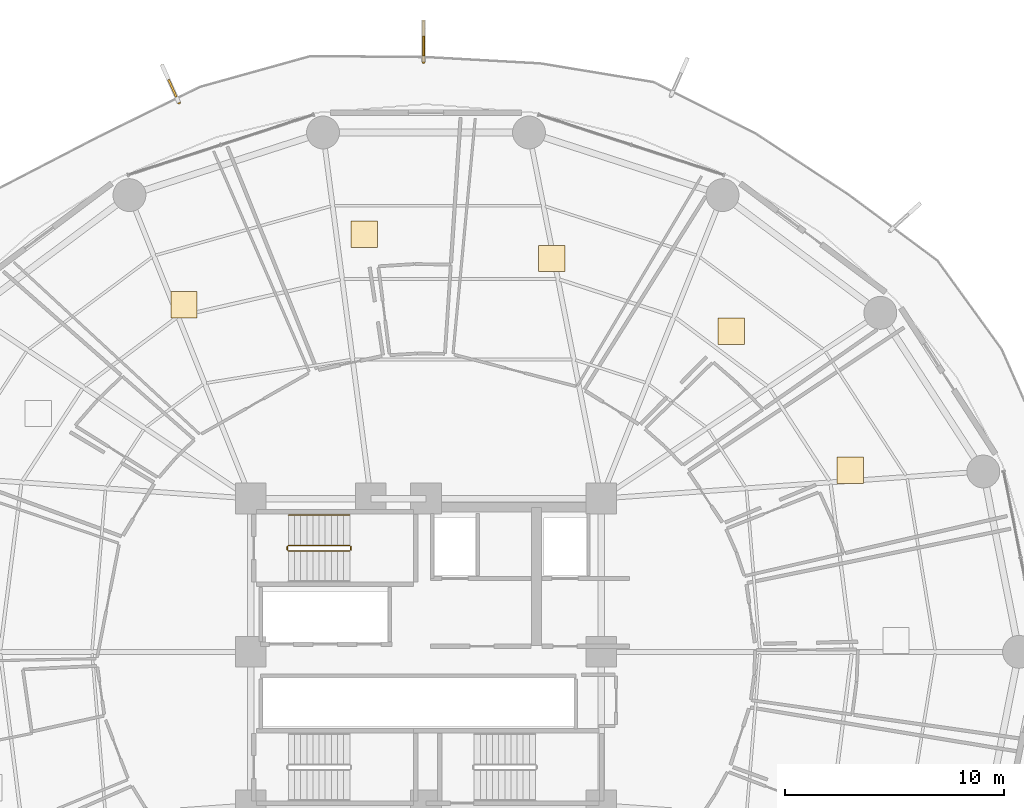
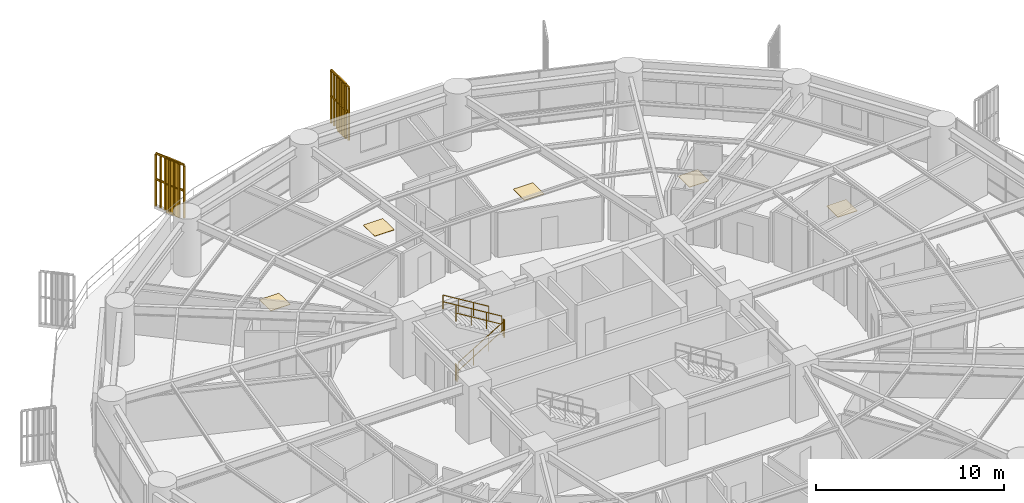
# One storey, part 32 of 33: 7 railings, 5 coverings, 2 shading devices.
"""IFC4 building model written with IfcOpenShell, lengths in metres."""

from ifc_helpers import new_model, si_unit, direction, frame, origin, origin_2d, place, context, subcontext, project, spatial, polyline, rectangle, outline, extrude, source, transform, mapped, material, layer, layer_set, type_object, element, save


model = new_model("IFC4")

# Units and contexts
model_context = context("Model", 3, precision=1e-05, world=origin(), true_north=direction((0.0, 1.0)))
body_context = subcontext(model_context, "Body", "Model", "MODEL_VIEW")
ifc_project = project(units=[si_unit("LENGTHUNIT", "METRE"), si_unit("AREAUNIT", "SQUARE_METRE"), si_unit("VOLUMEUNIT", "CUBIC_METRE"), si_unit("PLANEANGLEUNIT", "RADIAN"), si_unit("MASSUNIT", "GRAM", prefix="KILO")], contexts=[model_context])

# Site, building, storey
site_placement = place(None, origin())
site = spatial("IfcSite", under=ifc_project, at=site_placement, CompositionType="ELEMENT")
building_placement = place(site_placement, origin())
building = spatial("IfcBuilding", under=site, at=building_placement, Name="Kelanora Arch Commons", CompositionType="ELEMENT")
storey_placement = place(building_placement, frame((0.0, 0.0, 41.25)))
storey = spatial("IfcBuildingStorey", under=building, at=storey_placement, Name="L10", CompositionType="ELEMENT", Elevation=41.25)

# Railings
ifc_material_1 = material(Name="Anodised bronze vertical shading fin rib assembly")
railing_type_1 = type_object("IfcRailingType", Name="RAIL-FIN-BRZ", PredefinedType="BALUSTRADE", material=ifc_material_1)
railing_1_placement = place(storey_placement, frame((73.895263671875, 84.93896484375, -0.02001953125)))
element("IfcRailing", 1, at=railing_1_placement, inside=storey, type_object=railing_type_1, Name="Sweeping Bronze Vertical Fin Blade L10-03", PredefinedType="BALUSTRADE", context=body_context, shape_type="SweptSolid", body=[
    extrude(outline(polyline([(0.06982421875, 0.0), (0.034912109375, 0.060546875), (-0.034912109375, 0.060546875), (-0.06982421875, 0.0), (-0.034912109375, -0.060546875), (0.034912109375, -0.060546875), (0.06982421875, 0.0)])), frame((0.0, 0.0, 3.419921875), z_axis=(-0.003975058034, 0.999992099426, 0.0), x_axis=(-0.999992099426, -0.003975058034, 0.0)), (0.0, 0.0, 1.0), 1.842529296875),
    extrude(outline(polyline([(0.06982421875, 0.0), (0.034912109375, 0.060546875), (-0.034912109375, 0.060546875), (-0.06982421875, 0.0), (-0.034912109375, -0.060546875), (0.034912109375, -0.060546875), (0.06982421875, 0.0)])), frame((0.0, 0.0, 1.7451171875), z_axis=(-0.003975058034, 0.999992099426, 0.0), x_axis=(-0.999992099426, -0.003975058034, 0.0)), (0.0, 0.0, 1.0), 1.842529296875),
    extrude(outline(polyline([(0.080078125, 0.0), (0.0400390625, 0.0693359375), (-0.0400390625, 0.0693359375), (-0.080078125, 0.0), (-0.0400390625, -0.0693359375), (0.0400390625, -0.0693359375), (0.080078125, 0.0)])), origin(), (0.0, 0.0, 1.0), 3.35009765625),
    extrude(outline(polyline([(0.080078125, 0.0), (0.0400390625, 0.0693359375), (-0.0400390625, 0.0693359375), (-0.080078125, 0.0), (-0.0400390625, -0.0693359375), (0.0400390625, -0.0693359375), (0.080078125, 0.0)])), frame((-0.001220703125, 0.30712890625, 0.0)), (0.0, 0.0, 1.0), 3.35009765625),
    extrude(outline(polyline([(0.080078125, 0.0), (0.0400390625, 0.0693359375), (-0.0400390625, 0.0693359375), (-0.080078125, 0.0), (-0.0400390625, -0.0693359375), (0.0400390625, -0.0693359375), (0.080078125, 0.0)])), frame((-0.00244140625, 0.6142578125, 0.0)), (0.0, 0.0, 1.0), 3.35009765625),
    extrude(outline(polyline([(0.080078125, 0.0), (0.0400390625, 0.0693359375), (-0.0400390625, 0.0693359375), (-0.080078125, 0.0), (-0.0400390625, -0.0693359375), (0.0400390625, -0.0693359375), (0.080078125, 0.0)])), frame((-0.003662109375, 0.92138671875, 0.0)), (0.0, 0.0, 1.0), 3.35009765625),
    extrude(outline(polyline([(0.080078125, 0.0), (0.0400390625, 0.0693359375), (-0.0400390625, 0.0693359375), (-0.080078125, 0.0), (-0.0400390625, -0.0693359375), (0.0400390625, -0.0693359375), (0.080078125, 0.0)])), frame((-0.0048828125, 1.228271484375, 0.0)), (0.0, 0.0, 1.0), 3.35009765625),
    extrude(outline(polyline([(0.080078125, 0.0), (0.0400390625, 0.0693359375), (-0.0400390625, 0.0693359375), (-0.080078125, 0.0), (-0.0400390625, -0.0693359375), (0.0400390625, -0.0693359375), (0.080078125, 0.0)])), frame((-0.006103515625, 1.535400390625, 0.0)), (0.0, 0.0, 1.0), 3.35009765625),
    extrude(outline(polyline([(0.080078125, 0.0), (0.0400390625, 0.0693359375), (-0.0400390625, 0.0693359375), (-0.080078125, 0.0), (-0.0400390625, -0.0693359375), (0.0400390625, -0.0693359375), (0.080078125, 0.0)])), frame((-0.00732421875, 1.842529296875, 0.0)), (0.0, 0.0, 1.0), 3.35009765625),
])
railing_2_placement = place(storey_placement, frame((62.71728515625, 83.078125, -0.02001953125)))
element("IfcRailing", 2, at=railing_2_placement, inside=storey, type_object=railing_type_1, Name="Sweeping Bronze Vertical Fin Blade L10-04", PredefinedType="BALUSTRADE", context=body_context, shape_type="SweptSolid", body=[
    extrude(outline(polyline([(0.06982421875, 0.0), (0.034912109375, 0.060546875), (-0.034912109375, 0.060546875), (-0.06982421875, 0.0), (-0.034912109375, -0.060546875), (0.034912109375, -0.060546875), (0.06982421875, 0.0)])), frame((0.0, 0.0, 3.419921875), z_axis=(-0.410326113953, 0.911938857714, 0.0), x_axis=(-0.911938857714, -0.410326113953, 0.0)), (0.0, 0.0, 1.0), 1.8427734375),
    extrude(outline(polyline([(0.06982421875, 0.0), (0.034912109375, 0.060546875), (-0.034912109375, 0.060546875), (-0.06982421875, 0.0), (-0.034912109375, -0.060546875), (0.034912109375, -0.060546875), (0.06982421875, 0.0)])), frame((0.0, 0.0, 1.7451171875), z_axis=(-0.410326113953, 0.911938857714, 0.0), x_axis=(-0.911938857714, -0.410326113953, 0.0)), (0.0, 0.0, 1.0), 1.8427734375),
    extrude(outline(polyline([(0.080078125, 0.0), (0.0400390625, 0.0693359375), (-0.0400390625, 0.0693359375), (-0.080078125, 0.0), (-0.0400390625, -0.0693359375), (0.0400390625, -0.0693359375), (0.080078125, 0.0)])), origin(), (0.0, 0.0, 1.0), 3.35009765625),
    extrude(outline(polyline([(0.080078125, 0.0), (0.0400390625, 0.0693359375), (-0.0400390625, 0.0693359375), (-0.080078125, 0.0), (-0.0400390625, -0.0693359375), (0.0400390625, -0.0693359375), (0.080078125, 0.0)])), frame((-0.1259765625, 0.280029296875, 0.0)), (0.0, 0.0, 1.0), 3.35009765625),
    extrude(outline(polyline([(0.080078125, 0.0), (0.0400390625, 0.0693359375), (-0.0400390625, 0.0693359375), (-0.080078125, 0.0), (-0.0400390625, -0.0693359375), (0.0400390625, -0.0693359375), (0.080078125, 0.0)])), frame((-0.251953125, 0.56005859375, 0.0)), (0.0, 0.0, 1.0), 3.35009765625),
    extrude(outline(polyline([(0.080078125, 0.0), (0.0400390625, 0.0693359375), (-0.0400390625, 0.0693359375), (-0.080078125, 0.0), (-0.0400390625, -0.0693359375), (0.0400390625, -0.0693359375), (0.080078125, 0.0)])), frame((-0.3779296875, 0.84033203125, 0.0)), (0.0, 0.0, 1.0), 3.35009765625),
    extrude(outline(polyline([(0.080078125, 0.0), (0.0400390625, 0.0693359375), (-0.0400390625, 0.0693359375), (-0.080078125, 0.0), (-0.0400390625, -0.0693359375), (0.0400390625, -0.0693359375), (0.080078125, 0.0)])), frame((-0.504150390625, 1.120361328125, 0.0)), (0.0, 0.0, 1.0), 3.35009765625),
    extrude(outline(polyline([(0.080078125, 0.0), (0.0400390625, 0.0693359375), (-0.0400390625, 0.0693359375), (-0.080078125, 0.0), (-0.0400390625, -0.0693359375), (0.0400390625, -0.0693359375), (0.080078125, 0.0)])), frame((-0.630126953125, 1.400390625, 0.0)), (0.0, 0.0, 1.0), 3.35009765625),
    extrude(outline(polyline([(0.080078125, 0.0), (0.0400390625, 0.0693359375), (-0.0400390625, 0.0693359375), (-0.080078125, 0.0), (-0.0400390625, -0.0693359375), (0.0400390625, -0.0693359375), (0.080078125, 0.0)])), frame((-0.756103515625, 1.680419921875, 0.0)), (0.0, 0.0, 1.0), 3.35009765625),
])
ifc_material_2 = material(Name="Painted steel stair well guard", Category="steel")
railing_type_2 = type_object("IfcRailingType", Name="RAIL-STAIR-GRD", PredefinedType="GUARDRAIL", material=ifc_material_2)
railing_3_placement = place(storey_placement, frame((67.719970703125, 62.610107421875, 0.17041015625)))
element("IfcRailing", 3, at=railing_3_placement, inside=storey, type_object=railing_type_2, Name="L10 ST-T1 stair guard 1", PredefinedType="GUARDRAIL", context=body_context, shape_type="SweptSolid", body=[
    extrude(outline(polyline([(0.02392578125, 0.0), (0.011962890625, 0.020751953125), (-0.011962890625, 0.020751953125), (-0.02392578125, 0.0), (-0.011962890625, -0.020751953125), (0.011962890625, -0.020751953125), (0.02392578125, 0.0)])), frame((0.0, 0.0, 1.076171875), z_axis=(0.854169791009, 0.0, 0.51999420009), x_axis=(0.0, 1.0, 0.0)), (0.0, 0.0, 1.0), 3.278076171875),
    extrude(outline(polyline([(0.02392578125, 0.0), (0.011962890625, 0.020751953125), (-0.011962890625, 0.020751953125), (-0.02392578125, 0.0), (-0.011962890625, -0.020751953125), (0.011962890625, -0.020751953125), (0.02392578125, 0.0)])), frame((0.0, 0.0, 0.550048828125), z_axis=(0.854169791009, 0.0, 0.51999420009), x_axis=(0.0, 1.0, 0.0)), (0.0, 0.0, 1.0), 3.278076171875),
    extrude(outline(polyline([(0.02099609375, 0.0), (0.010498046875, 0.01806640625), (-0.010498046875, 0.01806640625), (-0.02099609375, 0.0), (-0.010498046875, -0.01806640625), (0.010498046875, -0.01806640625), (0.02099609375, 0.0)])), origin(), (0.0, 0.0, 1.0), 1.052001953125),
    extrude(outline(polyline([(0.02099609375, 0.0), (0.010498046875, 0.01806640625), (-0.010498046875, 0.01806640625), (-0.02099609375, 0.0), (-0.010498046875, -0.01806640625), (0.010498046875, -0.01806640625), (0.02099609375, 0.0)])), frame((0.933349609375, 0.0, 0.568115234375)), (0.0, 0.0, 1.0), 1.052001953125),
    extrude(outline(polyline([(0.02099609375, 0.0), (0.010498046875, 0.01806640625), (-0.010498046875, 0.01806640625), (-0.02099609375, 0.0), (-0.010498046875, -0.01806640625), (0.010498046875, -0.01806640625), (0.02099609375, 0.0)])), frame((1.86669921875, 0.0, 1.136474609375)), (0.0, 0.0, 1.0), 1.052001953125),
    extrude(outline(polyline([(0.02099609375, 0.0), (0.010498046875, 0.01806640625), (-0.010498046875, 0.01806640625), (-0.02099609375, 0.0), (-0.010498046875, -0.01806640625), (0.010498046875, -0.01806640625), (0.02099609375, 0.0)])), frame((2.800048828125, 0.0, 1.70458984375)), (0.0, 0.0, 1.0), 1.052001953125),
])
railing_4_placement = place(storey_placement, frame((70.570068359375, 62.659912109375, 1.875)))
element("IfcRailing", 4, at=railing_4_placement, inside=storey, type_object=railing_type_2, Name="L10 ST-T1 stair guard 2", PredefinedType="GUARDRAIL", context=body_context, shape_type="SweptSolid", body=[
    extrude(outline(polyline([(0.02392578125, 0.0), (0.011962890625, 0.020751953125), (-0.011962890625, 0.020751953125), (-0.02392578125, 0.0), (-0.011962890625, -0.020751953125), (0.011962890625, -0.020751953125), (0.02392578125, 0.0)])), frame((0.0, 0.0, 1.076171875), z_axis=(0.0, 1.0, 0.0), x_axis=(-1.0, 0.0, 0.0)), (0.0, 0.0, 1.0), 0.150146484375),
    extrude(outline(polyline([(0.02392578125, 0.0), (0.011962890625, 0.020751953125), (-0.011962890625, 0.020751953125), (-0.02392578125, 0.0), (-0.011962890625, -0.020751953125), (0.011962890625, -0.020751953125), (0.02392578125, 0.0)])), frame((0.0, 0.0, 0.550048828125), z_axis=(0.0, 1.0, 0.0), x_axis=(-1.0, 0.0, 0.0)), (0.0, 0.0, 1.0), 0.150146484375),
    extrude(outline(polyline([(0.02099609375, 0.0), (0.010498046875, 0.01806640625), (-0.010498046875, 0.01806640625), (-0.02099609375, 0.0), (-0.010498046875, -0.01806640625), (0.010498046875, -0.01806640625), (0.02099609375, 0.0)])), origin(), (0.0, 0.0, 1.0), 1.052001953125),
    extrude(outline(polyline([(0.02099609375, 0.0), (0.010498046875, 0.01806640625), (-0.010498046875, 0.01806640625), (-0.02099609375, 0.0), (-0.010498046875, -0.01806640625), (0.010498046875, -0.01806640625), (0.02099609375, 0.0)])), frame((0.0, 0.150146484375, 0.0)), (0.0, 0.0, 1.0), 1.052001953125),
])
railing_5_placement = place(storey_placement, frame((70.52001953125, 62.860107421875, 2.04541015625)))
element("IfcRailing", 5, at=railing_5_placement, inside=storey, type_object=railing_type_2, Name="L10 ST-T1 stair guard 3", PredefinedType="GUARDRAIL", context=body_context, shape_type="SweptSolid", body=[
    extrude(outline(polyline([(0.02392578125, 0.0), (0.011962890625, 0.020751953125), (-0.011962890625, 0.020751953125), (-0.02392578125, 0.0), (-0.011962890625, -0.020751953125), (0.011962890625, -0.020751953125), (0.02392578125, 0.0)])), frame((0.0, 0.0, 1.076171875), z_axis=(-0.854169791009, 0.0, 0.51999420009), x_axis=(0.0, -1.0, 0.0)), (0.0, 0.0, 1.0), 3.278076171875),
    extrude(outline(polyline([(0.02392578125, 0.0), (0.011962890625, 0.020751953125), (-0.011962890625, 0.020751953125), (-0.02392578125, 0.0), (-0.011962890625, -0.020751953125), (0.011962890625, -0.020751953125), (0.02392578125, 0.0)])), frame((0.0, 0.0, 0.550048828125), z_axis=(-0.854169791009, 0.0, 0.51999420009), x_axis=(0.0, -1.0, 0.0)), (0.0, 0.0, 1.0), 3.278076171875),
    extrude(outline(polyline([(0.02099609375, 0.0), (0.010498046875, 0.01806640625), (-0.010498046875, 0.01806640625), (-0.02099609375, 0.0), (-0.010498046875, -0.01806640625), (0.010498046875, -0.01806640625), (0.02099609375, 0.0)])), origin(), (0.0, 0.0, 1.0), 1.052001953125),
    extrude(outline(polyline([(0.02099609375, 0.0), (0.010498046875, 0.01806640625), (-0.010498046875, 0.01806640625), (-0.02099609375, 0.0), (-0.010498046875, -0.01806640625), (0.010498046875, -0.01806640625), (0.02099609375, 0.0)])), frame((-0.933349609375, 0.0, 0.568115234375)), (0.0, 0.0, 1.0), 1.052001953125),
    extrude(outline(polyline([(0.02099609375, 0.0), (0.010498046875, 0.01806640625), (-0.010498046875, 0.01806640625), (-0.02099609375, 0.0), (-0.010498046875, -0.01806640625), (0.010498046875, -0.01806640625), (0.02099609375, 0.0)])), frame((-1.86669921875, 0.0, 1.136474609375)), (0.0, 0.0, 1.0), 1.052001953125),
    extrude(outline(polyline([(0.02099609375, 0.0), (0.010498046875, 0.01806640625), (-0.010498046875, 0.01806640625), (-0.02099609375, 0.0), (-0.010498046875, -0.01806640625), (0.010498046875, -0.01806640625), (0.02099609375, 0.0)])), frame((-2.800048828125, 0.0, 1.70458984375)), (0.0, 0.0, 1.0), 1.052001953125),
])
railing_6_placement = place(storey_placement, frame((67.669921875, 62.659912109375, 0.0)))
element("IfcRailing", 6, at=railing_6_placement, inside=storey, type_object=railing_type_2, Name="L10 ST-T1 stair guard 4", PredefinedType="GUARDRAIL", context=body_context, shape_type="SweptSolid", body=[
    extrude(outline(polyline([(0.02392578125, 0.0), (0.011962890625, 0.020751953125), (-0.011962890625, 0.020751953125), (-0.02392578125, 0.0), (-0.011962890625, -0.020751953125), (0.011962890625, -0.020751953125), (0.02392578125, 0.0)])), frame((0.0, 0.0, 1.076171875), z_axis=(0.0, 1.0, 0.0), x_axis=(-1.0, 0.0, 0.0)), (0.0, 0.0, 1.0), 0.150146484375),
    extrude(outline(polyline([(0.02392578125, 0.0), (0.011962890625, 0.020751953125), (-0.011962890625, 0.020751953125), (-0.02392578125, 0.0), (-0.011962890625, -0.020751953125), (0.011962890625, -0.020751953125), (0.02392578125, 0.0)])), frame((0.0, 0.0, 0.550048828125), z_axis=(0.0, 1.0, 0.0), x_axis=(-1.0, 0.0, 0.0)), (0.0, 0.0, 1.0), 0.150146484375),
    extrude(outline(polyline([(0.02099609375, 0.0), (0.010498046875, 0.01806640625), (-0.010498046875, 0.01806640625), (-0.02099609375, 0.0), (-0.010498046875, -0.01806640625), (0.010498046875, -0.01806640625), (0.02099609375, 0.0)])), origin(), (0.0, 0.0, 1.0), 1.052001953125),
    extrude(outline(polyline([(0.02099609375, 0.0), (0.010498046875, 0.01806640625), (-0.010498046875, 0.01806640625), (-0.02099609375, 0.0), (-0.010498046875, -0.01806640625), (0.010498046875, -0.01806640625), (0.02099609375, 0.0)])), frame((0.0, 0.150146484375, 0.0)), (0.0, 0.0, 1.0), 1.052001953125),
])
ifc_material_3 = material(Name="Brushed stainless steel stair handrail", Category="steel")
railing_type_3 = type_object("IfcRailingType", Name="RAIL-STAIR-HND", PredefinedType="HANDRAIL", material=ifc_material_3)
railing_7_placement = place(storey_placement, frame((70.52001953125, 64.239990234375, 2.04541015625)))
element("IfcRailing", 7, at=railing_7_placement, inside=storey, type_object=railing_type_3, Name="L10 ST-T1 stair handrail 2", PredefinedType="HANDRAIL", context=body_context, shape_type="SweptSolid", body=[
    extrude(outline(polyline([(0.02392578125, 0.0), (0.011962890625, 0.020751953125), (-0.011962890625, 0.020751953125), (-0.02392578125, 0.0), (-0.011962890625, -0.020751953125), (0.011962890625, -0.020751953125), (0.02392578125, 0.0)])), frame((0.0, 0.0, 0.8759765625), z_axis=(-0.854169791009, 0.0, 0.51999420009), x_axis=(0.0, -1.0, 0.0)), (0.0, 0.0, 1.0), 3.278076171875),
    extrude(outline(polyline([(0.02392578125, 0.0), (0.011962890625, 0.020751953125), (-0.011962890625, 0.020751953125), (-0.02392578125, 0.0), (-0.011962890625, -0.020751953125), (0.011962890625, -0.020751953125), (0.02392578125, 0.0)])), frame((0.0, 0.0, 0.449951171875), z_axis=(-0.854169791009, 0.0, 0.51999420009), x_axis=(0.0, -1.0, 0.0)), (0.0, 0.0, 1.0), 3.278076171875),
    extrude(outline(polyline([(0.02099609375, 0.0), (0.010498046875, 0.01806640625), (-0.010498046875, 0.01806640625), (-0.02099609375, 0.0), (-0.010498046875, -0.01806640625), (0.010498046875, -0.01806640625), (0.02099609375, 0.0)])), origin(), (0.0, 0.0, 1.0), 0.851806640625),
    extrude(outline(polyline([(0.02099609375, 0.0), (0.010498046875, 0.01806640625), (-0.010498046875, 0.01806640625), (-0.02099609375, 0.0), (-0.010498046875, -0.01806640625), (0.010498046875, -0.01806640625), (0.02099609375, 0.0)])), frame((-0.933349609375, 0.0, 0.568115234375)), (0.0, 0.0, 1.0), 0.851806640625),
    extrude(outline(polyline([(0.02099609375, 0.0), (0.010498046875, 0.01806640625), (-0.010498046875, 0.01806640625), (-0.02099609375, 0.0), (-0.010498046875, -0.01806640625), (0.010498046875, -0.01806640625), (0.02099609375, 0.0)])), frame((-1.86669921875, 0.0, 1.136474609375)), (0.0, 0.0, 1.0), 0.851806640625),
    extrude(outline(polyline([(0.02099609375, 0.0), (0.010498046875, 0.01806640625), (-0.010498046875, 0.01806640625), (-0.02099609375, 0.0), (-0.010498046875, -0.01806640625), (0.010498046875, -0.01806640625), (0.02099609375, 0.0)])), frame((-2.800048828125, 0.0, 1.70458984375)), (0.0, 0.0, 1.0), 0.851806640625),
])

# Shading devices
ifc_material_4 = material(Name="Terracotta ceramic-clad extruded aluminium fin", Category="masonry")
shading_device_type = type_object("IfcShadingDeviceType", Name="SHD-FIN-FLARE", PredefinedType="USERDEFINED", material=ifc_material_4)
shared_shape_1 = source(origin(), body_context, "Body", "SweptSolid", [
    extrude(rectangle(XDim=0.8798828125, YDim=0.090087890625, at=origin_2d()), origin(), (0.0, 0.0, 1.0), 3.610107421875),
])
for number, where, z_axis, x_axis, name in (
    (8, (73.892333984375, 85.658935546875, -0.14013671875), (0.0, 0.0, 1.0), (-0.003839714919, 0.999992628267, 0.0), "Sweeping Terracotta Fin L10-03"),
    (9, (62.421875, 83.73486328125, -0.14013671875), (0.0, 0.0, 1.0), (-0.410241398845, 0.911976970473, 0.0), "Sweeping Terracotta Fin L10-04"),
):
    element("IfcShadingDevice", number, at=place(storey_placement, frame(where, z_axis=z_axis, x_axis=x_axis)), inside=storey, type_object=shading_device_type, Name=name, ObjectType="FIN", PredefinedType="USERDEFINED", context=body_context, shape_type="MappedRepresentation", body=[
        mapped(shared_shape_1, transform((0.0, 0.0, 0.0), scale=1.0)),
    ])

# Coverings
ifc_material_5 = material(Name="Polished local granite terrazzo flooring", Category="masonry")
ifc_layer = layer(ifc_material_5, 0.030029296875)
ifc_layer_set = layer_set([ifc_layer], Name="Polished local granite terrazzo flooring")
covering_type = type_object("IfcCoveringType", Name="COV-FLR-TER", PredefinedType="FLOORING", material=ifc_layer_set)
shared_shape_2 = source(origin(), body_context, "Body", "SweptSolid", [
    extrude(rectangle(XDim=1.199951171875, YDim=1.199951171875, at=origin_2d()), origin(), (0.0, 0.0, 1.0), 0.030029296875),
])
for number, where, z_axis, x_axis, name in (
    (10, (93.373291015625, 66.29296875, 0.0), (0.0, 0.0, 1.0), (1.0, 0.0, 0.0), "Co-Living Studio L10-01 Terrazzo Finish"),
    (11, (87.934814453125, 72.635498046875, 0.0), (0.0, 0.0, 1.0), (1.0, 0.0, 0.0), "Co-Living Studio L10-02 Terrazzo Finish"),
    (12, (79.74560546875, 75.961669921875, 0.0), (0.0, 0.0, 1.0), (1.0, 0.0, 0.0), "Communal Dining and Social Hall L10-03 Terrazzo Finish"),
    (13, (71.18701171875, 77.069580078125, 0.0), (0.0, 0.0, 1.0), (1.0, 0.0, 0.0), "Co-Living Studio L10-04 Terrazzo Finish"),
    (14, (62.955078125, 73.846435546875, 0.0), (0.0, 0.0, 1.0), (1.0, 0.0, 0.0), "Social Sky Lounge L10-05 Terrazzo Finish"),
):
    element("IfcCovering", number, at=place(storey_placement, frame(where, z_axis=z_axis, x_axis=x_axis)), inside=storey, type_object=covering_type, Name=name, PredefinedType="FLOORING", context=body_context, shape_type="MappedRepresentation", body=[
        mapped(shared_shape_2, transform((0.0, 0.0, 0.0), scale=1.0)),
    ])

save(model, "model.ifc")
